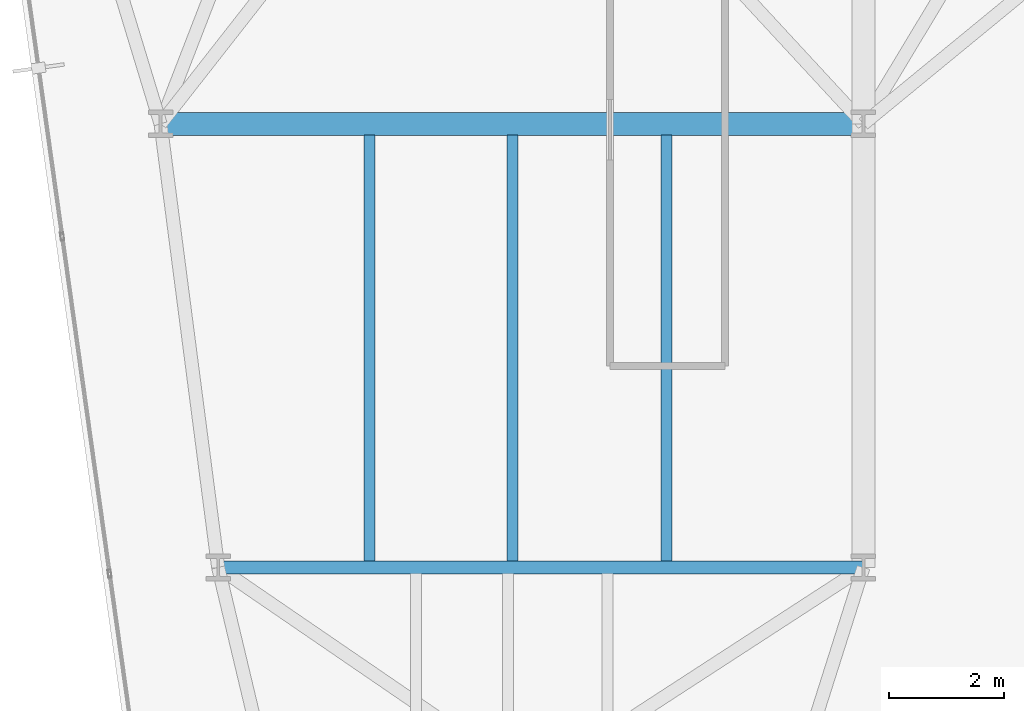
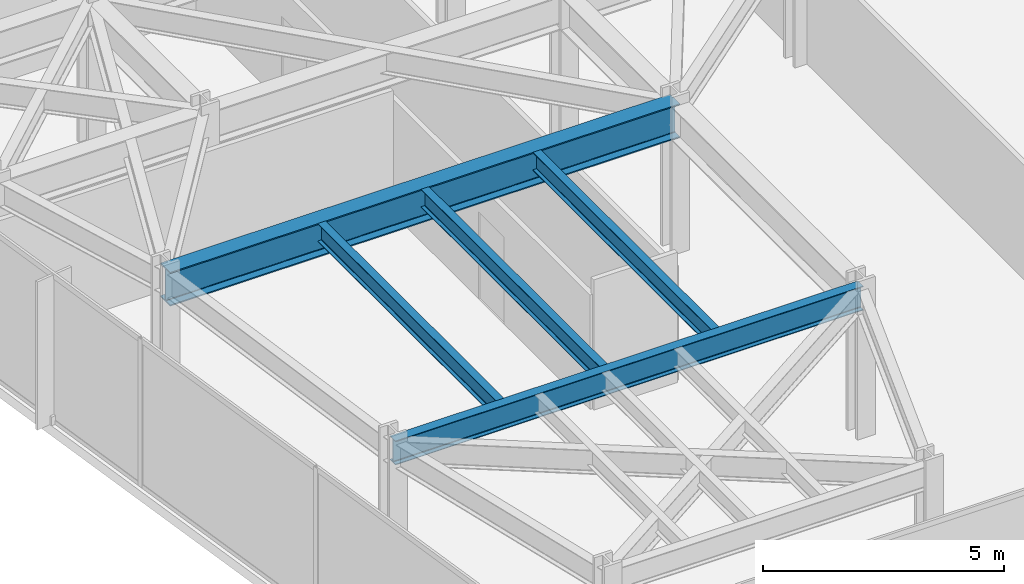
# One storey, part 6 of 26: 5 beams.
"""IFC4 building model written with IfcOpenShell, lengths in metres."""

import ifcopenshell
import ifcopenshell.guid

model = None  # the IFC model being written
_history = None  # IfcOwnerHistory: only IFC2X3 demands one
_inside = {}  # id of a spatial element -> (the spatial element, [elements in it])
_under = {}  # id of a project, library or spatial element -> (it, [spatial elements below it])
_declared = {}  # id of a project -> (the project, [libraries it declares])
_typed = {}  # id of a type object -> (the type object, [elements of that type])
_made_of = {}  # id of a material, layer set ... -> (it, [elements and type objects made of it])


def new_model(schema):
    """Start an empty IFC model of exactly this schema.

    Asked for "IFC4X3", IfcOpenShell would pick the latest addendum, in which some entities
    have other attributes; the version numbers below select the first issue.
    IFC2X3 requires an IfcOwnerHistory on every rooted entity: one is made here for all.
    """
    global model, _history
    if schema == "IFC4X3":
        model = ifcopenshell.file(schema_version=(4, 3, 0, 0))
    else:
        model = ifcopenshell.file(schema=schema)
    _inside.clear()
    _under.clear()
    _declared.clear()
    _typed.clear()
    _made_of.clear()
    _history = None
    if model.schema == "IFC2X3":
        org = make("IfcOrganization", Name="unknown")
        user = make(
            "IfcPersonAndOrganization",
            ThePerson=make("IfcPerson", FamilyName="unknown"),
            TheOrganization=org,
        )
        app = make(
            "IfcApplication",
            ApplicationDeveloper=org,
            Version="unknown",
            ApplicationFullName="unknown",
            ApplicationIdentifier="unknown",
        )
        _history = make(
            "IfcOwnerHistory",
            OwningUser=user,
            OwningApplication=app,
            ChangeAction="ADDED",
            CreationDate=0,
        )
    return model


def make(cls, **values):
    """One entity of the class cls with the attributes given. An attribute that is None is left unset."""
    return model.create_entity(
        cls, **{name: value for name, value in values.items() if value is not None}
    )


def rooted(cls, **values):
    """An entity with a GlobalId (a new one), such as an element, a storey or a relation."""
    return make(cls, GlobalId=ifcopenshell.guid.new(), OwnerHistory=_history, **values)


def si_unit(unit_type, name, prefix=None):
    """IfcSIUnit, for example si_unit("LENGTHUNIT", "METRE", prefix="MILLI")."""
    return make("IfcSIUnit", UnitType=unit_type, Prefix=prefix, Name=name)


def assignment(units):
    """IfcUnitAssignment: the units of a project."""
    return None if units is None else make("IfcUnitAssignment", Units=units)


def point(xyz):
    """IfcCartesianPoint."""
    return None if xyz is None else make("IfcCartesianPoint", Coordinates=xyz)


def direction(xyz):
    """IfcDirection."""
    return None if xyz is None else make("IfcDirection", DirectionRatios=xyz)


def frame(location, z_axis=None, x_axis=None):
    """IfcAxis2Placement3D, a coordinate frame: its origin and axes. An axis left out is left unset."""
    return make(
        "IfcAxis2Placement3D",
        Location=point(location),
        Axis=direction(z_axis),
        RefDirection=direction(x_axis),
    )


def frame_2d(location, x_axis=None):
    """IfcAxis2Placement2D, a coordinate frame in the plane: its origin and x axis."""
    return make(
        "IfcAxis2Placement2D", Location=point(location), RefDirection=direction(x_axis)
    )


def origin():
    """The frame at (0, 0, 0) with its axes left unset."""
    return frame((0.0, 0.0, 0.0))


def origin_2d():
    """The frame at (0, 0) in the plane with its x axis left unset."""
    return frame_2d((0.0, 0.0))


def place(relative_to, where):
    """IfcLocalPlacement: puts the frame where relative to a parent placement (None: the world)."""
    return make(
        "IfcLocalPlacement", PlacementRelTo=relative_to, RelativePlacement=where
    )


def context(
    kind, dimensions, precision=None, world=None, true_north=None, identifier=None
):
    """IfcGeometricRepresentationContext, for example the 3D "Model" context."""
    return make(
        "IfcGeometricRepresentationContext",
        ContextIdentifier=identifier,
        ContextType=kind,
        CoordinateSpaceDimension=dimensions,
        Precision=precision,
        WorldCoordinateSystem=world,
        TrueNorth=true_north,
    )


def subcontext(parent, identifier, kind, view, scale=None):
    """IfcGeometricRepresentationSubContext, for example "Body" below "Model"."""
    return make(
        "IfcGeometricRepresentationSubContext",
        ContextIdentifier=identifier,
        ContextType=kind,
        ParentContext=parent,
        TargetScale=scale,
        TargetView=view,
    )


def project(units=None, contexts=None):
    """IfcProject with its units and contexts."""
    return rooted(
        "IfcProject",
        Name="project",
        RepresentationContexts=contexts,
        UnitsInContext=assignment(units),
    )


def spatial(cls, under=None, at=None, **own):
    """A site, building, storey or space (cls), placed at a placement, below another one or the project."""
    s = rooted(cls, ObjectPlacement=at, **own)
    if under is not None:
        _under.setdefault(under.id(), (under, []))[1].append(s)
    return s


def profile(cls, at=None, kind="AREA", **sizes):
    """A parametric profile (cls). Its sizes go by their IFC names, for example OverallWidth=200.0."""
    return make(cls, ProfileType=kind, Position=at, **sizes)


def i_section(**sizes):
    """IfcIShapeProfileDef."""
    return profile("IfcIShapeProfileDef", **sizes)


def extrude(swept, where, along, depth):
    """IfcExtrudedAreaSolid: the profile swept, set in the frame where, extruded along a direction by depth."""
    return make(
        "IfcExtrudedAreaSolid",
        SweptArea=swept,
        Position=where,
        ExtrudedDirection=direction(along),
        Depth=depth,
    )


def shape(context_of_items, identifier, shape_type, items):
    """IfcShapeRepresentation: the items that make up one representation, for example the "Body"."""
    return make(
        "IfcShapeRepresentation",
        ContextOfItems=context_of_items,
        RepresentationIdentifier=identifier,
        RepresentationType=shape_type,
        Items=items,
    )


def material(Name=None, Category=None):
    """IfcMaterial."""
    return make("IfcMaterial", Name=Name, Category=Category)


def material_profile(
    of_material, cross_section, Name=None, Category=None, Priority=None
):
    """IfcMaterialProfile: a cross section and its material."""
    return make(
        "IfcMaterialProfile",
        Name=Name,
        Material=of_material,
        Profile=cross_section,
        Priority=Priority,
        Category=Category,
    )


def profile_set(profiles, Name=None, composite=None):
    """IfcMaterialProfileSet."""
    return make(
        "IfcMaterialProfileSet",
        Name=Name,
        MaterialProfiles=profiles,
        CompositeProfile=composite,
    )


def made_of(thing, what):
    """Note that an element or type object is made of a material, layer set ...; save() writes the relation."""
    if what is not None:
        _made_of.setdefault(what.id(), (what, []))[1].append(thing)
    return thing


def type_object(cls, material=None, **own):
    """A type object (cls), such as IfcWallType, which elements share."""
    return made_of(rooted(cls, **own), material)


def element(
    cls,
    number,
    at=None,
    inside=None,
    cuts=None,
    type_object=None,
    material=None,
    context=None,
    identifier="Body",
    shape_type=None,
    held_by="IfcProductDefinitionShape",
    body=None,
    shapes=None,
    **own,
):
    """One element of the class cls, such as IfcWall. Its Tag is "e" and its number.

    at: its placement. inside: the storey or other place that contains it. cuts: it is an
    opening in that element (IfcRelVoidsElement). A single representation is given by context,
    identifier, shape_type and body (its items); several are given by shapes. held_by: the class
    of the entity that holds the representations. save() writes the other relations.
    """
    e = rooted(cls, Tag="e%d" % number, ObjectPlacement=at, **own)
    if body is not None:
        shapes = [shape(context, identifier, shape_type, body)]
    if shapes is not None:
        e.Representation = make(held_by, Representations=shapes)
    if inside is not None:
        _inside.setdefault(inside.id(), (inside, []))[1].append(e)
    if cuts is not None:
        rooted(
            "IfcRelVoidsElement", RelatingBuildingElement=cuts, RelatedOpeningElement=e
        )
    if type_object is not None:
        _typed.setdefault(type_object.id(), (type_object, []))[1].append(e)
    return made_of(e, material)


def aggregate(whole, parts):
    """IfcRelAggregates: a whole, such as a stair, and the parts it consists of."""
    return rooted("IfcRelAggregates", RelatingObject=whole, RelatedObjects=parts)


def save(model, path):
    """Write the relations noted so far, then the file.

    IfcRelAggregates (storeys below a building ...), IfcRelContainedInSpatialStructure (elements
    in a storey), IfcRelDefinesByType, IfcRelAssociatesMaterial and IfcRelDeclares: one each for
    every whole, place, type object, material and project.
    """
    for whole, parts in _under.values():
        aggregate(whole, parts)
    for where, things in _inside.values():
        rooted(
            "IfcRelContainedInSpatialStructure",
            RelatedElements=things,
            RelatingStructure=where,
        )
    for kind, things in _typed.values():
        rooted("IfcRelDefinesByType", RelatedObjects=things, RelatingType=kind)
    for what, things in _made_of.values():
        rooted("IfcRelAssociatesMaterial", RelatedObjects=things, RelatingMaterial=what)
    for by, libraries in _declared.values():
        rooted("IfcRelDeclares", RelatingContext=by, RelatedDefinitions=libraries)
    model.write(path)


model = new_model("IFC4")

# Units and contexts
model_context = context("Model", 3, precision=1e-05, world=origin(), true_north=direction((0.0, 1.0)))
body_context = subcontext(model_context, "Body", "Model", "MODEL_VIEW")
ifc_project = project(units=[si_unit("LENGTHUNIT", "METRE"), si_unit("AREAUNIT", "SQUARE_METRE"), si_unit("VOLUMEUNIT", "CUBIC_METRE"), si_unit("PLANEANGLEUNIT", "RADIAN"), si_unit("MASSUNIT", "GRAM", prefix="KILO")], contexts=[model_context])

# Site, building, storey
site_placement = place(None, origin())
site = spatial("IfcSite", under=ifc_project, at=site_placement, CompositionType="ELEMENT")
building_placement = place(site_placement, origin())
building = spatial("IfcBuilding", under=site, at=building_placement, Name="Kravanh Interchange Tower", CompositionType="ELEMENT")
storey_placement = place(building_placement, frame((0.0, 0.0, 116.0)))
storey = spatial("IfcBuildingStorey", under=building, at=storey_placement, Name="L27", CompositionType="ELEMENT", Elevation=116.0)

# Beams
ifc_material_1 = material(Name="Structural Steel S355", Category="steel")
ifc_material_profile_1 = material_profile(ifc_material_1, i_section(OverallWidth=0.39990234375, OverallDepth=0.85595703125, WebThickness=0.018310546875, FlangeThickness=0.029296875, FilletRadius=0.02490234375, at=origin_2d()), Name="W33X201")
ifc_profile_set_1 = profile_set([ifc_material_profile_1], Name="Structural Steel S355")
beam_type_1 = type_object("IfcBeamType", Name="Floor Beam W33X201 Structural Steel S355", PredefinedType="BEAM", material=ifc_profile_set_1)
beam_1_placement = place(storey_placement, frame((15.0, 22.199951171875, 3.322021484375), z_axis=(1.0, 0.0, 0.0), x_axis=(0.0, 1.0, 0.0)))
element("IfcBeam", 1, at=beam_1_placement, inside=storey, type_object=beam_type_1, Name="L27 Primary Floor Girder 108", PredefinedType="BEAM", context=body_context, shape_type="SweptSolid", body=[
    extrude(i_section(OverallWidth=0.39990234375, OverallDepth=0.85595703125, WebThickness=0.018310546875, FlangeThickness=0.029296875, FilletRadius=0.02490234375, at=origin_2d()), origin(), (0.0, 0.0, 1.0), 12.199951171875),
])
ifc_material_2 = material(Name="Structural Steel S355", Category="steel")
ifc_material_profile_2 = material_profile(ifc_material_2, i_section(OverallWidth=0.18994140625, OverallDepth=0.45703125, WebThickness=0.009033203125, FlangeThickness=0.014404296875, FilletRadius=0.01806640625, at=origin_2d()), Name="W18X50")
ifc_profile_set_2 = profile_set([ifc_material_profile_2], Name="Structural Steel S355")
beam_type_2 = type_object("IfcBeamType", Name="Floor Joist W18X50 Structural Steel S355", PredefinedType="JOIST", material=ifc_profile_set_2)
for number, where, z_axis, x_axis, name in (
    (2, (18.6298828125, 14.60888671875, 3.521484375), (0.0, 1.0, 0.0), (-1.0, 0.0, 0.0), "L27 Secondary Floor Joist 7"),
    (3, (21.10498046875, 14.60888671875, 3.521484375), (0.0, 1.0, 0.0), (-1.0, 0.0, 0.0), "L27 Secondary Floor Joist 8"),
    (4, (23.778076171875, 14.60888671875, 3.521484375), (0.0, 1.0, 0.0), (-1.0, 0.0, 0.0), "L27 Secondary Floor Joist 9"),
):
    element("IfcBeam", number, at=place(storey_placement, frame(where, z_axis=z_axis, x_axis=x_axis)), inside=storey, type_object=beam_type_2, Name=name, PredefinedType="JOIST", context=body_context, shape_type="SweptSolid", body=[
        extrude(i_section(OverallWidth=0.18994140625, OverallDepth=0.45703125, WebThickness=0.009033203125, FlangeThickness=0.014404296875, FilletRadius=0.01806640625, at=origin_2d()), origin(), (0.0, 0.0, 1.0), 7.39599609375),
    ])
ifc_material_3 = material(Name="Structural Steel S355", Category="steel")
ifc_material_profile_3 = material_profile(ifc_material_3, i_section(OverallWidth=0.22802734375, OverallDepth=0.60791015625, WebThickness=0.01123046875, FlangeThickness=0.017333984375, FilletRadius=0.02197265625, at=origin_2d()), Name="W24X76")
ifc_profile_set_3 = profile_set([ifc_material_profile_3], Name="Structural Steel S355")
beam_type_3 = type_object("IfcBeamType", Name="Floor Spandrel W24X76 Structural Steel S355", PredefinedType="SPANDREL", material=ifc_profile_set_3)
beam_2_placement = place(storey_placement, frame((16.0, 14.5, 3.446044921875), z_axis=(1.0, 0.0, 0.0), x_axis=(0.0, 1.0, 0.0)))
element("IfcBeam", 5, at=beam_2_placement, inside=storey, type_object=beam_type_3, Name="L27 Perimeter Spandrel 101", PredefinedType="SPANDREL", context=body_context, shape_type="SweptSolid", body=[
    extrude(i_section(OverallWidth=0.22802734375, OverallDepth=0.60791015625, WebThickness=0.01123046875, FlangeThickness=0.017333984375, FilletRadius=0.02197265625, at=origin_2d()), origin(), (0.0, 0.0, 1.0), 11.199951171875),
])

save(model, "model.ifc")
